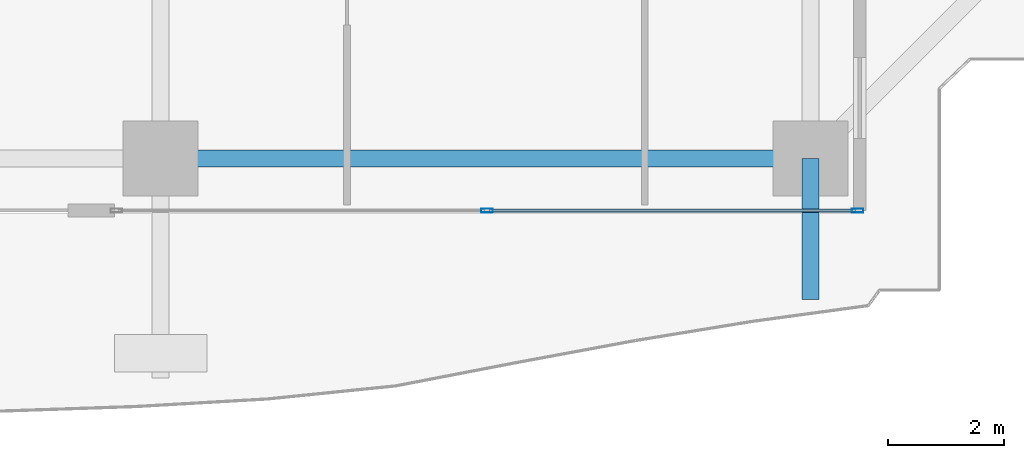
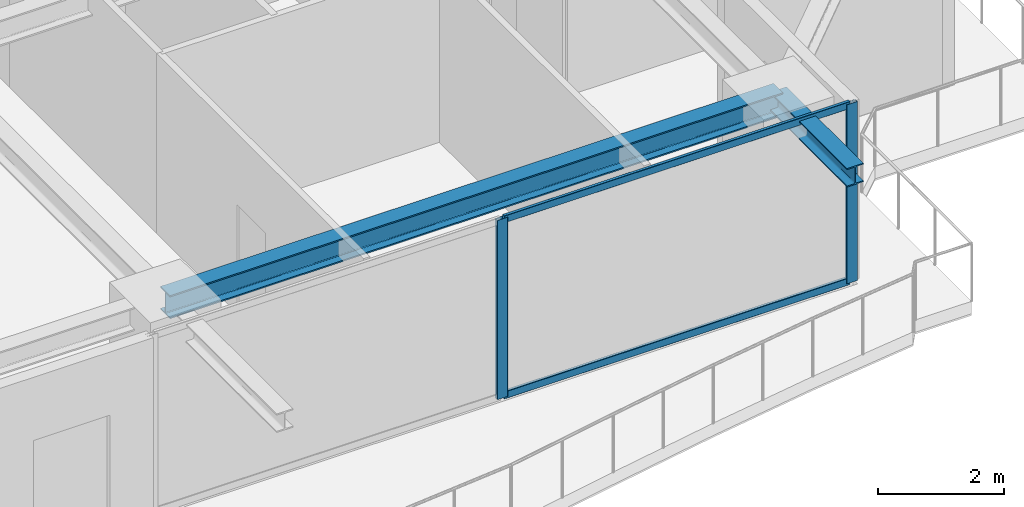
# One storey, part 11 of 34: 4 members, 2 beams, 1 element without a shape of its own.
"""IFC4 building model written with IfcOpenShell, lengths in metres."""

from ifc_helpers import new_model, si_unit, direction, frame, origin, origin_2d, place, context, subcontext, project, spatial, hollow_rectangle, i_section, extrude, source, transform, mapped, material, layer, layer_set, material_profile, profile_set, type_object, element, aggregate, save


model = new_model("IFC4")

# Units and contexts
model_context = context("Model", 3, precision=1e-05, world=origin(), true_north=direction((0.0, 1.0)))
body_context = subcontext(model_context, "Body", "Model", "MODEL_VIEW")
ifc_project = project(units=[si_unit("LENGTHUNIT", "METRE"), si_unit("AREAUNIT", "SQUARE_METRE"), si_unit("VOLUMEUNIT", "CUBIC_METRE"), si_unit("PLANEANGLEUNIT", "RADIAN"), si_unit("MASSUNIT", "GRAM", prefix="KILO")], contexts=[model_context])

# Site, building, storey
site_placement = place(None, origin())
site = spatial("IfcSite", under=ifc_project, at=site_placement, CompositionType="ELEMENT")
building_placement = place(site_placement, origin())
building = spatial("IfcBuilding", under=site, at=building_placement, Name="Serunith Strait Residences", CompositionType="ELEMENT")
storey_placement = place(building_placement, frame((0.0, 0.0, 187.64990234375)))
storey = spatial("IfcBuildingStorey", under=building, at=storey_placement, Name="L47", CompositionType="ELEMENT", Elevation=187.64990234375)

# Beams
ifc_material_1 = material(Name="Steel S355J2", Category="steel")
ifc_material_profile_1 = material_profile(ifc_material_1, i_section(OverallWidth=0.300048828125, OverallDepth=0.449951171875, WebThickness=0.013916015625, FlangeThickness=0.02587890625, FilletRadius=0.027099609375, at=origin_2d()), Name="HEB 450")
ifc_profile_set_1 = profile_set([ifc_material_profile_1], Name="Steel S355J2")
beam_type_1 = type_object("IfcBeamType", Name="BM-HEB450", PredefinedType="BEAM", material=ifc_profile_set_1)
shared_shape_1 = source(origin(), body_context, "Body", "SweptSolid", [
    extrude(i_section(OverallWidth=0.300048828125, OverallDepth=0.449951171875, WebThickness=0.013916015625, FlangeThickness=0.02587890625, FilletRadius=0.027099609375, at=origin_2d()), origin(), (0.0, 0.0, 1.0), 11.25),
])
beam_1_placement = place(storey_placement, frame((36.89990234375, 2.300048828125, 3.26220703125), z_axis=(1.0, 0.0, 0.0), x_axis=(0.0, 1.0, 0.0)))
element("IfcBeam", 1, at=beam_1_placement, inside=storey, type_object=beam_type_1, Name="L47 Perimeter Ring Beam 03", PredefinedType="BEAM", context=body_context, shape_type="MappedRepresentation", body=[
    mapped(shared_shape_1, transform((0.0, 0.0, 0.0), scale=1.0)),
])
ifc_material_profile_2 = material_profile(ifc_material_1, i_section(OverallWidth=0.300048828125, OverallDepth=0.360107421875, WebThickness=0.012451171875, FlangeThickness=0.0224609375, FilletRadius=0.027099609375, at=origin_2d()), Name="HEB 360")
ifc_profile_set_2 = profile_set([ifc_material_profile_2], Name="Steel S355J2")
beam_type_2 = type_object("IfcBeamType", Name="BM-HEB360", PredefinedType="BEAM", material=ifc_profile_set_2)
shared_shape_2 = source(origin(), body_context, "Body", "SweptSolid", [
    extrude(i_section(OverallWidth=0.300048828125, OverallDepth=0.360107421875, WebThickness=0.012451171875, FlangeThickness=0.0224609375, FilletRadius=0.027099609375, at=origin_2d()), origin(), (0.0, 0.0, 1.0), 2.44384765625),
])
beam_2_placement = place(storey_placement, frame((48.14990234375, 2.300048828125, 3.277099609375), z_axis=(0.0, -1.0, 0.0), x_axis=(1.0, 0.0, 0.0)))
element("IfcBeam", 2, at=beam_2_placement, inside=storey, type_object=beam_type_2, Name="L48 Cantilevered Balcony Rib TC-S4", PredefinedType="BEAM", context=body_context, shape_type="MappedRepresentation", body=[
    mapped(shared_shape_2, transform((0.0, 0.0, 0.0), scale=1.0)),
])

# Curtain wall, members
ifc_material_2 = material(Name="Pale-Champagne Anodised Aluminium", Category="aluminium")
ifc_layer = layer(ifc_material_2, 0.199951171875, Name="Pale-Champagne Anodised Aluminium")
ifc_layer_set = layer_set([ifc_layer], Name="Pale-Champagne Anodised Aluminium")
curtain_wall_type = type_object("IfcCurtainWallType", Name="CW-SYS2", PredefinedType="NOTDEFINED", material=ifc_layer_set)
curtain_wall_placement = place(storey_placement, origin())
curtain_wall = element("IfcCurtainWall", 3, at=curtain_wall_placement, inside=storey, type_object=curtain_wall_type, Name="L47 S Unitised Fritted Curtain Wall", PredefinedType="NOTDEFINED")
ifc_material_profile_3 = material_profile(ifc_material_2, hollow_rectangle(XDim=0.070068359375, YDim=0.199951171875, WallThickness=0.00390625, InnerFilletRadius=0.006103515625, OuterFilletRadius=0.010009765625, at=origin_2d()), Name="ALU 200x70x4")
ifc_profile_set_3 = profile_set([ifc_material_profile_3], Name="Pale-Champagne Anodised Aluminium")
member_type_1 = type_object("IfcMemberType", Name="CW-SYS2-MULL", PredefinedType="MULLION", material=ifc_profile_set_3)
shared_shape_3 = source(origin(), body_context, "Body", "SweptSolid", [
    extrude(hollow_rectangle(XDim=0.070068359375, YDim=0.199951171875, WallThickness=0.00390625, InnerFilletRadius=0.006103515625, OuterFilletRadius=0.010009765625, at=origin_2d()), origin(), (0.0, 0.0, 1.0), 3.47509765625),
])
member_1_placement = place(storey_placement, frame((42.550048828125, 1.39990234375, 0.0), z_axis=(0.0, 0.0, 1.0), x_axis=(0.0, 1.0, 0.0)))
member_1 = element("IfcMember", 4, at=member_1_placement, type_object=member_type_1, Name="CW-2 mullion 2", PredefinedType="MULLION", context=body_context, shape_type="MappedRepresentation", body=[
    mapped(shared_shape_3, transform((0.0, 0.0, 0.0), scale=1.0)),
])
member_2_placement = place(storey_placement, frame((48.965087890625, 1.39990234375, 0.0), z_axis=(0.0, 0.0, 1.0), x_axis=(0.0, 1.0, 0.0)))
member_2 = element("IfcMember", 5, at=member_2_placement, type_object=member_type_1, Name="CW-2 mullion 3", PredefinedType="MULLION", context=body_context, shape_type="MappedRepresentation", body=[
    mapped(shared_shape_3, transform((0.0, 0.0, 0.0), scale=1.0)),
])
ifc_material_profile_4 = material_profile(ifc_material_2, hollow_rectangle(XDim=0.06005859375, YDim=0.139892578125, WallThickness=0.00341796875, InnerFilletRadius=0.00537109375, OuterFilletRadius=0.0087890625, at=origin_2d()), Name="ALU 140x60x3.5")
ifc_profile_set_4 = profile_set([ifc_material_profile_4], Name="Pale-Champagne Anodised Aluminium")
member_type_2 = type_object("IfcMemberType", Name="CW-SYS2-TRAN", PredefinedType="USERDEFINED", material=ifc_profile_set_4)
shared_shape_4 = source(origin(), body_context, "Body", "SweptSolid", [
    extrude(hollow_rectangle(XDim=0.06005859375, YDim=0.139892578125, WallThickness=0.00341796875, InnerFilletRadius=0.00537109375, OuterFilletRadius=0.0087890625, at=origin_2d()), origin(), (0.0, 0.0, 1.0), 6.344970703125),
])
member_3_placement = place(storey_placement, frame((42.5849609375, 1.39990234375, 0.030029296875), z_axis=(1.0, 0.0, 0.0), x_axis=(0.0, 1.0, 0.0)))
member_3 = element("IfcMember", 6, at=member_3_placement, type_object=member_type_2, Name="CW-2 transom 2.1", ObjectType="TRANSOM", PredefinedType="USERDEFINED", context=body_context, shape_type="MappedRepresentation", body=[
    mapped(shared_shape_4, transform((0.0, 0.0, 0.0), scale=1.0)),
])
member_4_placement = place(storey_placement, frame((42.5849609375, 1.39990234375, 3.445068359375), z_axis=(1.0, 0.0, 0.0), x_axis=(0.0, 1.0, 0.0)))
member_4 = element("IfcMember", 7, at=member_4_placement, type_object=member_type_2, Name="CW-2 transom 2.2", ObjectType="TRANSOM", PredefinedType="USERDEFINED", context=body_context, shape_type="MappedRepresentation", body=[
    mapped(shared_shape_4, transform((0.0, 0.0, 0.0), scale=1.0)),
])
aggregate(curtain_wall, [member_1, member_2, member_3, member_4])

save(model, "model.ifc")
